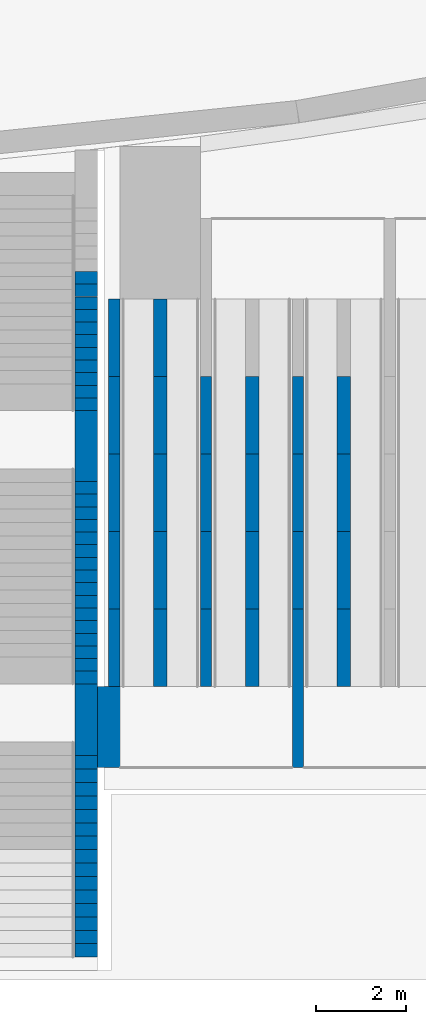
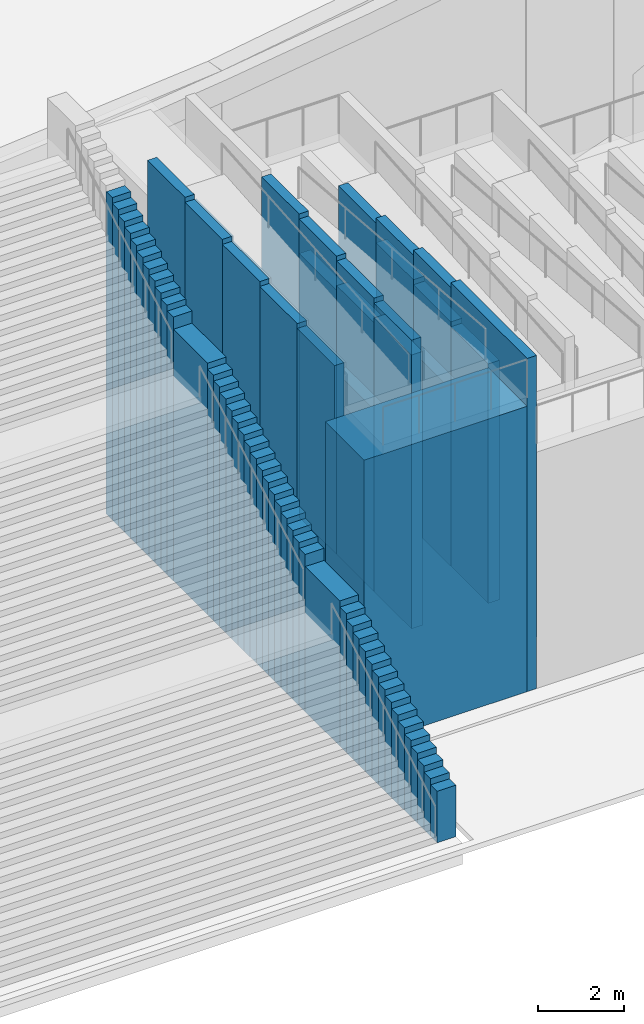
# One storey, part 7 of 29: 71 walls.
"""IFC4 building model written with IfcOpenShell, lengths in metres."""

from ifc_helpers import new_model, si_unit, direction, frame, frame_2d, origin, place, context, subcontext, project, spatial, rectangle, extrude, material, layer, layer_set, type_object, element, save


model = new_model("IFC4")

# Units and contexts
model_context = context("Model", 3, precision=1e-05, world=origin(), true_north=direction((0.0, 1.0)))
body_context = subcontext(model_context, "Body", "Model", "MODEL_VIEW")
ifc_project = project(units=[si_unit("LENGTHUNIT", "METRE"), si_unit("AREAUNIT", "SQUARE_METRE"), si_unit("VOLUMEUNIT", "CUBIC_METRE"), si_unit("PLANEANGLEUNIT", "RADIAN"), si_unit("MASSUNIT", "GRAM", prefix="KILO")], contexts=[model_context])

# Site, building, storey
site_placement = place(None, origin())
site = spatial("IfcSite", under=ifc_project, at=site_placement, CompositionType="ELEMENT")
building_placement = place(site_placement, origin())
building = spatial("IfcBuilding", under=site, at=building_placement, Name="Sierra Prisma Convention Tower", CompositionType="ELEMENT")
storey_placement = place(building_placement, origin())
storey = spatial("IfcBuildingStorey", under=building, at=storey_placement, Name="L00", CompositionType="ELEMENT", Elevation=0.0)

# Walls
ifc_material_1 = material(Name="Concrete C35/45, rose plaster finish", Category="concrete")
ifc_layer_1 = layer(ifc_material_1, 0.5)
ifc_layer_set_1 = layer_set([ifc_layer_1], Name="Garden steps cheek wall 500")
wall_type_1 = type_object("IfcWallType", Name="Garden steps cheek wall 500", PredefinedType="STANDARD", material=ifc_layer_set_1)
wall_1_placement = place(storey_placement, frame((17.949951171875, -72.490234375, 0.0), z_axis=(0.0, 0.0, 1.0), x_axis=(0.0, 1.0, 0.0)))
element("IfcWall", 1, at=wall_1_placement, inside=storey, type_object=wall_type_1, Name="Garden steps cheek wall east 1", PredefinedType="STANDARD", context=body_context, shape_type="SweptSolid", body=[
    extrude(rectangle(XDim=0.300048828125, YDim=0.5, at=frame_2d((0.14990234375, 0.0))), origin(), (0.0, 0.0, 1.0), 1.452880859375),
])
wall_2_placement = place(storey_placement, frame((17.949951171875, -72.190185546875, 0.0), z_axis=(0.0, 0.0, 1.0), x_axis=(0.0, 1.0, 0.0)))
element("IfcWall", 2, at=wall_2_placement, inside=storey, type_object=wall_type_1, Name="Garden steps cheek wall east 2", PredefinedType="STANDARD", context=body_context, shape_type="SweptSolid", body=[
    extrude(rectangle(XDim=0.300048828125, YDim=0.5, at=frame_2d((0.14990234375, 0.0))), origin(), (0.0, 0.0, 1.0), 1.62939453125),
])
wall_3_placement = place(storey_placement, frame((17.949951171875, -71.89013671875, 0.0), z_axis=(0.0, 0.0, 1.0), x_axis=(0.0, 1.0, 0.0)))
element("IfcWall", 3, at=wall_3_placement, inside=storey, type_object=wall_type_1, Name="Garden steps cheek wall east 3", PredefinedType="STANDARD", context=body_context, shape_type="SweptSolid", body=[
    extrude(rectangle(XDim=0.300048828125, YDim=0.5, at=frame_2d((0.14990234375, 0.0))), origin(), (0.0, 0.0, 1.0), 1.805908203125),
])
wall_4_placement = place(storey_placement, frame((17.949951171875, -71.590087890625, 0.0), z_axis=(0.0, 0.0, 1.0), x_axis=(0.0, 1.0, 0.0)))
element("IfcWall", 4, at=wall_4_placement, inside=storey, type_object=wall_type_1, Name="Garden steps cheek wall east 4", PredefinedType="STANDARD", context=body_context, shape_type="SweptSolid", body=[
    extrude(rectangle(XDim=0.2998046875, YDim=0.5, at=frame_2d((0.14990234375, 0.0))), origin(), (0.0, 0.0, 1.0), 1.982421875),
])
wall_5_placement = place(storey_placement, frame((17.949951171875, -71.290283203125, 0.0), z_axis=(0.0, 0.0, 1.0), x_axis=(0.0, 1.0, 0.0)))
element("IfcWall", 5, at=wall_5_placement, inside=storey, type_object=wall_type_1, Name="Garden steps cheek wall east 5", PredefinedType="STANDARD", context=body_context, shape_type="SweptSolid", body=[
    extrude(rectangle(XDim=0.300048828125, YDim=0.5, at=frame_2d((0.14990234375, 0.0))), origin(), (0.0, 0.0, 1.0), 2.15869140625),
])
wall_6_placement = place(storey_placement, frame((17.949951171875, -70.990234375, 0.0), z_axis=(0.0, 0.0, 1.0), x_axis=(0.0, 1.0, 0.0)))
element("IfcWall", 6, at=wall_6_placement, inside=storey, type_object=wall_type_1, Name="Garden steps cheek wall east 6", PredefinedType="STANDARD", context=body_context, shape_type="SweptSolid", body=[
    extrude(rectangle(XDim=0.300048828125, YDim=0.5, at=frame_2d((0.14990234375, 0.0))), origin(), (0.0, 0.0, 1.0), 2.335205078125),
])
wall_7_placement = place(storey_placement, frame((17.949951171875, -70.690185546875, 0.0), z_axis=(0.0, 0.0, 1.0), x_axis=(0.0, 1.0, 0.0)))
element("IfcWall", 7, at=wall_7_placement, inside=storey, type_object=wall_type_1, Name="Garden steps cheek wall east 7", PredefinedType="STANDARD", context=body_context, shape_type="SweptSolid", body=[
    extrude(rectangle(XDim=0.300048828125, YDim=0.5, at=frame_2d((0.14990234375, 0.0))), origin(), (0.0, 0.0, 1.0), 2.51171875),
])
wall_8_placement = place(storey_placement, frame((17.949951171875, -70.39013671875, 0.0), z_axis=(0.0, 0.0, 1.0), x_axis=(0.0, 1.0, 0.0)))
element("IfcWall", 8, at=wall_8_placement, inside=storey, type_object=wall_type_1, Name="Garden steps cheek wall east 8", PredefinedType="STANDARD", context=body_context, shape_type="SweptSolid", body=[
    extrude(rectangle(XDim=0.300048828125, YDim=0.5, at=frame_2d((0.14990234375, 0.0))), origin(), (0.0, 0.0, 1.0), 2.688232421875),
])
wall_9_placement = place(storey_placement, frame((17.949951171875, -70.090087890625, 0.0), z_axis=(0.0, 0.0, 1.0), x_axis=(0.0, 1.0, 0.0)))
element("IfcWall", 9, at=wall_9_placement, inside=storey, type_object=wall_type_1, Name="Garden steps cheek wall east 9", PredefinedType="STANDARD", context=body_context, shape_type="SweptSolid", body=[
    extrude(rectangle(XDim=0.2998046875, YDim=0.5, at=frame_2d((0.14990234375, 0.0))), origin(), (0.0, 0.0, 1.0), 2.86474609375),
])
wall_10_placement = place(storey_placement, frame((17.949951171875, -69.790283203125, 0.0), z_axis=(0.0, 0.0, 1.0), x_axis=(0.0, 1.0, 0.0)))
element("IfcWall", 10, at=wall_10_placement, inside=storey, type_object=wall_type_1, Name="Garden steps cheek wall east 10", PredefinedType="STANDARD", context=body_context, shape_type="SweptSolid", body=[
    extrude(rectangle(XDim=0.300048828125, YDim=0.5, at=frame_2d((0.14990234375, 0.0))), origin(), (0.0, 0.0, 1.0), 3.041259765625),
])
wall_11_placement = place(storey_placement, frame((17.949951171875, -69.490234375, 0.0), z_axis=(0.0, 0.0, 1.0), x_axis=(0.0, 1.0, 0.0)))
element("IfcWall", 11, at=wall_11_placement, inside=storey, type_object=wall_type_1, Name="Garden steps cheek wall east 11", PredefinedType="STANDARD", context=body_context, shape_type="SweptSolid", body=[
    extrude(rectangle(XDim=0.300048828125, YDim=0.5, at=frame_2d((0.14990234375, 0.0))), origin(), (0.0, 0.0, 1.0), 3.217529296875),
])
wall_12_placement = place(storey_placement, frame((17.949951171875, -69.190185546875, 0.0), z_axis=(0.0, 0.0, 1.0), x_axis=(0.0, 1.0, 0.0)))
element("IfcWall", 12, at=wall_12_placement, inside=storey, type_object=wall_type_1, Name="Garden steps cheek wall east 12", PredefinedType="STANDARD", context=body_context, shape_type="SweptSolid", body=[
    extrude(rectangle(XDim=0.300048828125, YDim=0.5, at=frame_2d((0.14990234375, 0.0))), origin(), (0.0, 0.0, 1.0), 3.39404296875),
])
wall_13_placement = place(storey_placement, frame((17.949951171875, -68.89013671875, 0.0), z_axis=(0.0, 0.0, 1.0), x_axis=(0.0, 1.0, 0.0)))
element("IfcWall", 13, at=wall_13_placement, inside=storey, type_object=wall_type_1, Name="Garden steps cheek wall east 13", PredefinedType="STANDARD", context=body_context, shape_type="SweptSolid", body=[
    extrude(rectangle(XDim=0.300048828125, YDim=0.5, at=frame_2d((0.14990234375, 0.0))), origin(), (0.0, 0.0, 1.0), 3.570556640625),
])
wall_14_placement = place(storey_placement, frame((17.949951171875, -68.590087890625, 0.0), z_axis=(0.0, 0.0, 1.0), x_axis=(0.0, 1.0, 0.0)))
element("IfcWall", 14, at=wall_14_placement, inside=storey, type_object=wall_type_1, Name="Garden steps cheek wall east 14", PredefinedType="STANDARD", context=body_context, shape_type="SweptSolid", body=[
    extrude(rectangle(XDim=0.2998046875, YDim=0.5, at=frame_2d((0.14990234375, 0.0))), origin(), (0.0, 0.0, 1.0), 3.7470703125),
])
wall_15_placement = place(storey_placement, frame((17.949951171875, -68.290283203125, 0.0), z_axis=(0.0, 0.0, 1.0), x_axis=(0.0, 1.0, 0.0)))
element("IfcWall", 15, at=wall_15_placement, inside=storey, type_object=wall_type_1, Name="Garden steps cheek wall east 15", PredefinedType="STANDARD", context=body_context, shape_type="SweptSolid", body=[
    extrude(rectangle(XDim=0.300048828125, YDim=0.5, at=frame_2d((0.14990234375, 0.0))), origin(), (0.0, 0.0, 1.0), 3.923583984375),
])
wall_16_placement = place(storey_placement, frame((17.949951171875, -67.990234375, 0.0), z_axis=(0.0, 0.0, 1.0), x_axis=(0.0, 1.0, 0.0)))
element("IfcWall", 16, at=wall_16_placement, inside=storey, type_object=wall_type_1, Name="Garden steps cheek wall east 16", PredefinedType="STANDARD", context=body_context, shape_type="SweptSolid", body=[
    extrude(rectangle(XDim=1.60009765625, YDim=0.5, at=frame_2d((0.800048828125, 0.0))), origin(), (0.0, 0.0, 1.0), 4.10009765625),
])
wall_17_placement = place(storey_placement, frame((17.949951171875, -66.39013671875, 0.0), z_axis=(0.0, 0.0, 1.0), x_axis=(0.0, 1.0, 0.0)))
element("IfcWall", 17, at=wall_17_placement, inside=storey, type_object=wall_type_1, Name="Garden steps cheek wall east 17", PredefinedType="STANDARD", context=body_context, shape_type="SweptSolid", body=[
    extrude(rectangle(XDim=0.2822265625, YDim=0.5, at=frame_2d((0.14111328125, 0.0))), origin(), (0.0, 0.0, 1.0), 4.442626953125),
])
wall_18_placement = place(storey_placement, frame((17.949951171875, -66.10791015625, 0.0), z_axis=(0.0, 0.0, 1.0), x_axis=(0.0, 1.0, 0.0)))
element("IfcWall", 18, at=wall_18_placement, inside=storey, type_object=wall_type_1, Name="Garden steps cheek wall east 18", PredefinedType="STANDARD", context=body_context, shape_type="SweptSolid", body=[
    extrude(rectangle(XDim=0.282470703125, YDim=0.5, at=frame_2d((0.14111328125, 0.0))), origin(), (0.0, 0.0, 1.0), 4.608642578125),
])
wall_19_placement = place(storey_placement, frame((17.949951171875, -65.825439453125, 0.0), z_axis=(0.0, 0.0, 1.0), x_axis=(0.0, 1.0, 0.0)))
element("IfcWall", 19, at=wall_19_placement, inside=storey, type_object=wall_type_1, Name="Garden steps cheek wall east 19", PredefinedType="STANDARD", context=body_context, shape_type="SweptSolid", body=[
    extrude(rectangle(XDim=0.2822265625, YDim=0.5, at=frame_2d((0.14111328125, 0.0))), origin(), (0.0, 0.0, 1.0), 4.774658203125),
])
wall_20_placement = place(storey_placement, frame((17.949951171875, -65.543212890625, 0.0), z_axis=(0.0, 0.0, 1.0), x_axis=(0.0, 1.0, 0.0)))
element("IfcWall", 20, at=wall_20_placement, inside=storey, type_object=wall_type_1, Name="Garden steps cheek wall east 20", PredefinedType="STANDARD", context=body_context, shape_type="SweptSolid", body=[
    extrude(rectangle(XDim=0.282470703125, YDim=0.5, at=frame_2d((0.14111328125, 0.0))), origin(), (0.0, 0.0, 1.0), 4.94091796875),
])
wall_21_placement = place(storey_placement, frame((17.949951171875, -65.2607421875, 0.0), z_axis=(0.0, 0.0, 1.0), x_axis=(0.0, 1.0, 0.0)))
element("IfcWall", 21, at=wall_21_placement, inside=storey, type_object=wall_type_1, Name="Garden steps cheek wall east 21", PredefinedType="STANDARD", context=body_context, shape_type="SweptSolid", body=[
    extrude(rectangle(XDim=0.2822265625, YDim=0.5, at=frame_2d((0.14111328125, 0.0))), origin(), (0.0, 0.0, 1.0), 5.10693359375),
])
wall_22_placement = place(storey_placement, frame((17.949951171875, -64.978515625, 0.0), z_axis=(0.0, 0.0, 1.0), x_axis=(0.0, 1.0, 0.0)))
element("IfcWall", 22, at=wall_22_placement, inside=storey, type_object=wall_type_1, Name="Garden steps cheek wall east 22", PredefinedType="STANDARD", context=body_context, shape_type="SweptSolid", body=[
    extrude(rectangle(XDim=0.282470703125, YDim=0.5, at=frame_2d((0.14111328125, 0.0))), origin(), (0.0, 0.0, 1.0), 5.27294921875),
])
wall_23_placement = place(storey_placement, frame((17.949951171875, -64.696044921875, 0.0), z_axis=(0.0, 0.0, 1.0), x_axis=(0.0, 1.0, 0.0)))
element("IfcWall", 23, at=wall_23_placement, inside=storey, type_object=wall_type_1, Name="Garden steps cheek wall east 23", PredefinedType="STANDARD", context=body_context, shape_type="SweptSolid", body=[
    extrude(rectangle(XDim=0.2822265625, YDim=0.5, at=frame_2d((0.14111328125, 0.0))), origin(), (0.0, 0.0, 1.0), 5.439208984375),
])
wall_24_placement = place(storey_placement, frame((17.949951171875, -64.413818359375, 0.0), z_axis=(0.0, 0.0, 1.0), x_axis=(0.0, 1.0, 0.0)))
element("IfcWall", 24, at=wall_24_placement, inside=storey, type_object=wall_type_1, Name="Garden steps cheek wall east 24", PredefinedType="STANDARD", context=body_context, shape_type="SweptSolid", body=[
    extrude(rectangle(XDim=0.282470703125, YDim=0.5, at=frame_2d((0.14111328125, 0.0))), origin(), (0.0, 0.0, 1.0), 5.605224609375),
])
wall_25_placement = place(storey_placement, frame((17.949951171875, -64.13134765625, 0.0), z_axis=(0.0, 0.0, 1.0), x_axis=(0.0, 1.0, 0.0)))
element("IfcWall", 25, at=wall_25_placement, inside=storey, type_object=wall_type_1, Name="Garden steps cheek wall east 25", PredefinedType="STANDARD", context=body_context, shape_type="SweptSolid", body=[
    extrude(rectangle(XDim=0.2822265625, YDim=0.5, at=frame_2d((0.14111328125, 0.0))), origin(), (0.0, 0.0, 1.0), 5.771240234375),
])
wall_26_placement = place(storey_placement, frame((17.949951171875, -63.84912109375, 0.0), z_axis=(0.0, 0.0, 1.0), x_axis=(0.0, 1.0, 0.0)))
element("IfcWall", 26, at=wall_26_placement, inside=storey, type_object=wall_type_1, Name="Garden steps cheek wall east 26", PredefinedType="STANDARD", context=body_context, shape_type="SweptSolid", body=[
    extrude(rectangle(XDim=0.282470703125, YDim=0.5, at=frame_2d((0.14111328125, 0.0))), origin(), (0.0, 0.0, 1.0), 5.9375),
])
wall_27_placement = place(storey_placement, frame((17.949951171875, -63.566650390625, 0.0), z_axis=(0.0, 0.0, 1.0), x_axis=(0.0, 1.0, 0.0)))
element("IfcWall", 27, at=wall_27_placement, inside=storey, type_object=wall_type_1, Name="Garden steps cheek wall east 27", PredefinedType="STANDARD", context=body_context, shape_type="SweptSolid", body=[
    extrude(rectangle(XDim=0.2822265625, YDim=0.5, at=frame_2d((0.14111328125, 0.0))), origin(), (0.0, 0.0, 1.0), 6.103515625),
])
wall_28_placement = place(storey_placement, frame((17.949951171875, -63.284423828125, 0.0), z_axis=(0.0, 0.0, 1.0), x_axis=(0.0, 1.0, 0.0)))
element("IfcWall", 28, at=wall_28_placement, inside=storey, type_object=wall_type_1, Name="Garden steps cheek wall east 28", PredefinedType="STANDARD", context=body_context, shape_type="SweptSolid", body=[
    extrude(rectangle(XDim=0.282470703125, YDim=0.5, at=frame_2d((0.14111328125, 0.0))), origin(), (0.0, 0.0, 1.0), 6.26953125),
])
wall_29_placement = place(storey_placement, frame((17.949951171875, -63.001953125, 0.0), z_axis=(0.0, 0.0, 1.0), x_axis=(0.0, 1.0, 0.0)))
element("IfcWall", 29, at=wall_29_placement, inside=storey, type_object=wall_type_1, Name="Garden steps cheek wall east 29", PredefinedType="STANDARD", context=body_context, shape_type="SweptSolid", body=[
    extrude(rectangle(XDim=0.2822265625, YDim=0.5, at=frame_2d((0.14111328125, 0.0))), origin(), (0.0, 0.0, 1.0), 6.435546875),
])
wall_30_placement = place(storey_placement, frame((17.949951171875, -62.7197265625, 0.0), z_axis=(0.0, 0.0, 1.0), x_axis=(0.0, 1.0, 0.0)))
element("IfcWall", 30, at=wall_30_placement, inside=storey, type_object=wall_type_1, Name="Garden steps cheek wall east 30", PredefinedType="STANDARD", context=body_context, shape_type="SweptSolid", body=[
    extrude(rectangle(XDim=0.282470703125, YDim=0.5, at=frame_2d((0.14111328125, 0.0))), origin(), (0.0, 0.0, 1.0), 6.601806640625),
])
wall_31_placement = place(storey_placement, frame((17.949951171875, -62.437255859375, 0.0), z_axis=(0.0, 0.0, 1.0), x_axis=(0.0, 1.0, 0.0)))
element("IfcWall", 31, at=wall_31_placement, inside=storey, type_object=wall_type_1, Name="Garden steps cheek wall east 31", PredefinedType="STANDARD", context=body_context, shape_type="SweptSolid", body=[
    extrude(rectangle(XDim=0.282470703125, YDim=0.5, at=frame_2d((0.14111328125, 0.0))), origin(), (0.0, 0.0, 1.0), 6.767822265625),
])
wall_32_placement = place(storey_placement, frame((17.949951171875, -62.15478515625, 0.0), z_axis=(0.0, 0.0, 1.0), x_axis=(0.0, 1.0, 0.0)))
element("IfcWall", 32, at=wall_32_placement, inside=storey, type_object=wall_type_1, Name="Garden steps cheek wall east 32", PredefinedType="STANDARD", context=body_context, shape_type="SweptSolid", body=[
    extrude(rectangle(XDim=0.2822265625, YDim=0.5, at=frame_2d((0.14111328125, 0.0))), origin(), (0.0, 0.0, 1.0), 6.933837890625),
])
wall_33_placement = place(storey_placement, frame((17.949951171875, -61.87255859375, 0.0), z_axis=(0.0, 0.0, 1.0), x_axis=(0.0, 1.0, 0.0)))
element("IfcWall", 33, at=wall_33_placement, inside=storey, type_object=wall_type_1, Name="Garden steps cheek wall east 33", PredefinedType="STANDARD", context=body_context, shape_type="SweptSolid", body=[
    extrude(rectangle(XDim=1.582275390625, YDim=0.5, at=frame_2d((0.791015625, 0.0))), origin(), (0.0, 0.0, 1.0), 7.10009765625),
])
wall_34_placement = place(storey_placement, frame((17.949951171875, -60.290283203125, 0.0), z_axis=(0.0, 0.0, 1.0), x_axis=(0.0, 1.0, 0.0)))
element("IfcWall", 34, at=wall_34_placement, inside=storey, type_object=wall_type_1, Name="Garden steps cheek wall east 34", PredefinedType="STANDARD", context=body_context, shape_type="SweptSolid", body=[
    extrude(rectangle(XDim=0.282470703125, YDim=0.5, at=frame_2d((0.14111328125, 0.0))), origin(), (0.0, 0.0, 1.0), 7.442626953125),
])
wall_35_placement = place(storey_placement, frame((17.949951171875, -60.0078125, 0.0), z_axis=(0.0, 0.0, 1.0), x_axis=(0.0, 1.0, 0.0)))
element("IfcWall", 35, at=wall_35_placement, inside=storey, type_object=wall_type_1, Name="Garden steps cheek wall east 35", PredefinedType="STANDARD", context=body_context, shape_type="SweptSolid", body=[
    extrude(rectangle(XDim=0.2822265625, YDim=0.5, at=frame_2d((0.14111328125, 0.0))), origin(), (0.0, 0.0, 1.0), 7.608642578125),
])
wall_36_placement = place(storey_placement, frame((17.949951171875, -59.7255859375, 0.0), z_axis=(0.0, 0.0, 1.0), x_axis=(0.0, 1.0, 0.0)))
element("IfcWall", 36, at=wall_36_placement, inside=storey, type_object=wall_type_1, Name="Garden steps cheek wall east 36", PredefinedType="STANDARD", context=body_context, shape_type="SweptSolid", body=[
    extrude(rectangle(XDim=0.282470703125, YDim=0.5, at=frame_2d((0.14111328125, 0.0))), origin(), (0.0, 0.0, 1.0), 7.774658203125),
])
wall_37_placement = place(storey_placement, frame((17.949951171875, -59.443115234375, 0.0), z_axis=(0.0, 0.0, 1.0), x_axis=(0.0, 1.0, 0.0)))
element("IfcWall", 37, at=wall_37_placement, inside=storey, type_object=wall_type_1, Name="Garden steps cheek wall east 37", PredefinedType="STANDARD", context=body_context, shape_type="SweptSolid", body=[
    extrude(rectangle(XDim=0.2822265625, YDim=0.5, at=frame_2d((0.14111328125, 0.0))), origin(), (0.0, 0.0, 1.0), 7.94091796875),
])
wall_38_placement = place(storey_placement, frame((17.949951171875, -59.160888671875, 0.0), z_axis=(0.0, 0.0, 1.0), x_axis=(0.0, 1.0, 0.0)))
element("IfcWall", 38, at=wall_38_placement, inside=storey, type_object=wall_type_1, Name="Garden steps cheek wall east 38", PredefinedType="STANDARD", context=body_context, shape_type="SweptSolid", body=[
    extrude(rectangle(XDim=0.282470703125, YDim=0.5, at=frame_2d((0.14111328125, 0.0))), origin(), (0.0, 0.0, 1.0), 8.10693359375),
])
wall_39_placement = place(storey_placement, frame((17.949951171875, -58.87841796875, 0.0), z_axis=(0.0, 0.0, 1.0), x_axis=(0.0, 1.0, 0.0)))
element("IfcWall", 39, at=wall_39_placement, inside=storey, type_object=wall_type_1, Name="Garden steps cheek wall east 39", PredefinedType="STANDARD", context=body_context, shape_type="SweptSolid", body=[
    extrude(rectangle(XDim=0.2822265625, YDim=0.5, at=frame_2d((0.14111328125, 0.0))), origin(), (0.0, 0.0, 1.0), 8.27294921875),
])
wall_40_placement = place(storey_placement, frame((17.949951171875, -58.59619140625, 0.0), z_axis=(0.0, 0.0, 1.0), x_axis=(0.0, 1.0, 0.0)))
element("IfcWall", 40, at=wall_40_placement, inside=storey, type_object=wall_type_1, Name="Garden steps cheek wall east 40", PredefinedType="STANDARD", context=body_context, shape_type="SweptSolid", body=[
    extrude(rectangle(XDim=0.282470703125, YDim=0.5, at=frame_2d((0.14111328125, 0.0))), origin(), (0.0, 0.0, 1.0), 8.439208984375),
])
wall_41_placement = place(storey_placement, frame((17.949951171875, -58.313720703125, 0.0), z_axis=(0.0, 0.0, 1.0), x_axis=(0.0, 1.0, 0.0)))
element("IfcWall", 41, at=wall_41_placement, inside=storey, type_object=wall_type_1, Name="Garden steps cheek wall east 41", PredefinedType="STANDARD", context=body_context, shape_type="SweptSolid", body=[
    extrude(rectangle(XDim=0.2822265625, YDim=0.5, at=frame_2d((0.14111328125, 0.0))), origin(), (0.0, 0.0, 1.0), 8.605224609375),
])
wall_42_placement = place(storey_placement, frame((17.949951171875, -58.031494140625, 0.0), z_axis=(0.0, 0.0, 1.0), x_axis=(0.0, 1.0, 0.0)))
element("IfcWall", 42, at=wall_42_placement, inside=storey, type_object=wall_type_1, Name="Garden steps cheek wall east 42", PredefinedType="STANDARD", context=body_context, shape_type="SweptSolid", body=[
    extrude(rectangle(XDim=0.282470703125, YDim=0.5, at=frame_2d((0.14111328125, 0.0))), origin(), (0.0, 0.0, 1.0), 8.771240234375),
])
wall_43_placement = place(storey_placement, frame((17.949951171875, -57.7490234375, 0.0), z_axis=(0.0, 0.0, 1.0), x_axis=(0.0, 1.0, 0.0)))
element("IfcWall", 43, at=wall_43_placement, inside=storey, type_object=wall_type_1, Name="Garden steps cheek wall east 43", PredefinedType="STANDARD", context=body_context, shape_type="SweptSolid", body=[
    extrude(rectangle(XDim=0.2822265625, YDim=0.5, at=frame_2d((0.14111328125, 0.0))), origin(), (0.0, 0.0, 1.0), 8.9375),
])
wall_44_placement = place(storey_placement, frame((17.949951171875, -57.466796875, 0.0), z_axis=(0.0, 0.0, 1.0), x_axis=(0.0, 1.0, 0.0)))
element("IfcWall", 44, at=wall_44_placement, inside=storey, type_object=wall_type_1, Name="Garden steps cheek wall east 44", PredefinedType="STANDARD", context=body_context, shape_type="SweptSolid", body=[
    extrude(rectangle(XDim=0.282470703125, YDim=0.5, at=frame_2d((0.14111328125, 0.0))), origin(), (0.0, 0.0, 1.0), 9.103515625),
])
ifc_material_2 = material(Name="Concrete C35/45, rose plaster finish", Category="concrete")
ifc_layer_2 = layer(ifc_material_2, 0.25)
ifc_layer_set_2 = layer_set([ifc_layer_2], Name="Ramp guard wall 250")
wall_type_2 = type_object("IfcWallType", Name="Ramp guard wall 250", PredefinedType="STANDARD", material=ifc_layer_set_2)
wall_45_placement = place(storey_placement, frame((22.675048828125, -68.25390625, 0.0), z_axis=(0.0, 0.0, 1.0), x_axis=(0.0, 1.0, 0.0)))
element("IfcWall", 45, at=wall_45_placement, inside=storey, type_object=wall_type_2, Name="Accessible ramp guard wall 12 1", PredefinedType="STANDARD", context=body_context, shape_type="SweptSolid", body=[
    extrude(rectangle(XDim=3.53076171875, YDim=0.25, at=frame_2d((1.765380859375, 0.0))), origin(), (0.0, 0.0, 1.0), 9.40771484375),
])
wall_46_placement = place(storey_placement, frame((22.675048828125, -64.72314453125, 0.0), z_axis=(0.0, 0.0, 1.0), x_axis=(0.0, 1.0, 0.0)))
element("IfcWall", 46, at=wall_46_placement, inside=storey, type_object=wall_type_2, Name="Accessible ramp guard wall 12 2", PredefinedType="STANDARD", context=body_context, shape_type="SweptSolid", body=[
    extrude(rectangle(XDim=1.73095703125, YDim=0.25, at=frame_2d((0.865478515625, 0.0))), origin(), (0.0, 0.0, 1.0), 9.269287109375),
])
wall_47_placement = place(storey_placement, frame((22.675048828125, -62.9921875, 0.0), z_axis=(0.0, 0.0, 1.0), x_axis=(0.0, 1.0, 0.0)))
element("IfcWall", 47, at=wall_47_placement, inside=storey, type_object=wall_type_2, Name="Accessible ramp guard wall 12 3", PredefinedType="STANDARD", context=body_context, shape_type="SweptSolid", body=[
    extrude(rectangle(XDim=1.73046875, YDim=0.25, at=frame_2d((0.865234375, 0.0))), origin(), (0.0, 0.0, 1.0), 9.130859375),
])
wall_48_placement = place(storey_placement, frame((22.675048828125, -61.26171875, 0.0), z_axis=(0.0, 0.0, 1.0), x_axis=(0.0, 1.0, 0.0)))
element("IfcWall", 48, at=wall_48_placement, inside=storey, type_object=wall_type_2, Name="Accessible ramp guard wall 12 4", PredefinedType="STANDARD", context=body_context, shape_type="SweptSolid", body=[
    extrude(rectangle(XDim=1.73095703125, YDim=0.25, at=frame_2d((0.865478515625, 0.0))), origin(), (0.0, 0.0, 1.0), 8.9921875),
])
wall_49_placement = place(storey_placement, frame((20.625, -66.453857421875, 0.0), z_axis=(0.0, 0.0, 1.0), x_axis=(0.0, 1.0, 0.0)))
element("IfcWall", 49, at=wall_49_placement, inside=storey, type_object=wall_type_2, Name="Accessible ramp guard wall 13 1", PredefinedType="STANDARD", context=body_context, shape_type="SweptSolid", body=[
    extrude(rectangle(XDim=1.730712890625, YDim=0.25, at=frame_2d((0.865234375, 0.0))), origin(), (0.0, 0.0, 1.0), 9.546142578125),
])
wall_50_placement = place(storey_placement, frame((20.625, -64.72314453125, 0.0), z_axis=(0.0, 0.0, 1.0), x_axis=(0.0, 1.0, 0.0)))
element("IfcWall", 50, at=wall_50_placement, inside=storey, type_object=wall_type_2, Name="Accessible ramp guard wall 13 2", PredefinedType="STANDARD", context=body_context, shape_type="SweptSolid", body=[
    extrude(rectangle(XDim=1.73095703125, YDim=0.25, at=frame_2d((0.865478515625, 0.0))), origin(), (0.0, 0.0, 1.0), 9.6845703125),
])
wall_51_placement = place(storey_placement, frame((20.625, -62.9921875, 0.0), z_axis=(0.0, 0.0, 1.0), x_axis=(0.0, 1.0, 0.0)))
element("IfcWall", 51, at=wall_51_placement, inside=storey, type_object=wall_type_2, Name="Accessible ramp guard wall 13 3", PredefinedType="STANDARD", context=body_context, shape_type="SweptSolid", body=[
    extrude(rectangle(XDim=1.73046875, YDim=0.25, at=frame_2d((0.865234375, 0.0))), origin(), (0.0, 0.0, 1.0), 9.822998046875),
])
wall_52_placement = place(storey_placement, frame((20.625, -61.26171875, 0.0), z_axis=(0.0, 0.0, 1.0), x_axis=(0.0, 1.0, 0.0)))
element("IfcWall", 52, at=wall_52_placement, inside=storey, type_object=wall_type_2, Name="Accessible ramp guard wall 13 4", PredefinedType="STANDARD", context=body_context, shape_type="SweptSolid", body=[
    extrude(rectangle(XDim=1.73095703125, YDim=0.25, at=frame_2d((0.865478515625, 0.0))), origin(), (0.0, 0.0, 1.0), 9.96142578125),
])
wall_53_placement = place(storey_placement, frame((18.574951171875, -66.453857421875, 0.0), z_axis=(0.0, 0.0, 1.0), x_axis=(0.0, 1.0, 0.0)))
element("IfcWall", 53, at=wall_53_placement, inside=storey, type_object=wall_type_2, Name="Accessible ramp guard wall 14 1", PredefinedType="STANDARD", context=body_context, shape_type="SweptSolid", body=[
    extrude(rectangle(XDim=1.730712890625, YDim=0.25, at=frame_2d((0.865234375, 0.0))), origin(), (0.0, 0.0, 1.0), 9.546142578125),
])
wall_54_placement = place(storey_placement, frame((18.574951171875, -64.72314453125, 0.0), z_axis=(0.0, 0.0, 1.0), x_axis=(0.0, 1.0, 0.0)))
element("IfcWall", 54, at=wall_54_placement, inside=storey, type_object=wall_type_2, Name="Accessible ramp guard wall 14 2", PredefinedType="STANDARD", context=body_context, shape_type="SweptSolid", body=[
    extrude(rectangle(XDim=1.73095703125, YDim=0.25, at=frame_2d((0.865478515625, 0.0))), origin(), (0.0, 0.0, 1.0), 9.6845703125),
])
wall_55_placement = place(storey_placement, frame((18.574951171875, -62.9921875, 0.0), z_axis=(0.0, 0.0, 1.0), x_axis=(0.0, 1.0, 0.0)))
element("IfcWall", 55, at=wall_55_placement, inside=storey, type_object=wall_type_2, Name="Accessible ramp guard wall 14 3", PredefinedType="STANDARD", context=body_context, shape_type="SweptSolid", body=[
    extrude(rectangle(XDim=1.73046875, YDim=0.25, at=frame_2d((0.865234375, 0.0))), origin(), (0.0, 0.0, 1.0), 9.822998046875),
])
wall_56_placement = place(storey_placement, frame((18.574951171875, -61.26171875, 0.0), z_axis=(0.0, 0.0, 1.0), x_axis=(0.0, 1.0, 0.0)))
element("IfcWall", 56, at=wall_56_placement, inside=storey, type_object=wall_type_2, Name="Accessible ramp guard wall 14 4", PredefinedType="STANDARD", context=body_context, shape_type="SweptSolid", body=[
    extrude(rectangle(XDim=1.73095703125, YDim=0.25, at=frame_2d((0.865478515625, 0.0))), origin(), (0.0, 0.0, 1.0), 9.96142578125),
])
wall_57_placement = place(storey_placement, frame((18.574951171875, -59.53076171875, 0.0), z_axis=(0.0, 0.0, 1.0), x_axis=(0.0, 1.0, 0.0)))
element("IfcWall", 57, at=wall_57_placement, inside=storey, type_object=wall_type_2, Name="Accessible ramp guard wall 14 5", PredefinedType="STANDARD", context=body_context, shape_type="SweptSolid", body=[
    extrude(rectangle(XDim=1.730712890625, YDim=0.25, at=frame_2d((0.865234375, 0.0))), origin(), (0.0, 0.0, 1.0), 10.10009765625),
])
ifc_material_3 = material(Name="Concrete C35/45", Category="concrete")
ifc_layer_3 = layer(ifc_material_3, 1.800048828125)
ifc_layer_set_3 = layer_set([ifc_layer_3], Name="Ramp landing support 1800")
wall_type_3 = type_object("IfcWallType", Name="Ramp landing support 1800", PredefinedType="STANDARD", material=ifc_layer_set_3)
wall_58_placement = place(storey_placement, frame((18.199951171875, -67.353759765625, 0.0), z_axis=(0.0, 0.0, 1.0), x_axis=(1.0, 0.0, 0.0)))
element("IfcWall", 58, at=wall_58_placement, inside=storey, type_object=wall_type_3, Name="Accessible ramp landing support 6", PredefinedType="STANDARD", context=body_context, shape_type="SweptSolid", body=[
    extrude(rectangle(XDim=4.35009765625, YDim=1.800048828125, at=frame_2d((2.175048828125, 0.0))), origin(), (0.0, 0.0, 1.0), 8.0576171875),
])
ifc_material_4 = material(Name="Concrete C35/45", Category="concrete")
ifc_layer_4 = layer(ifc_material_4, 0.300048828125)
ifc_layer_set_4 = layer_set([ifc_layer_4], Name="Ramp spine wall 300")
wall_type_4 = type_object("IfcWallType", Name="Ramp spine wall 300", PredefinedType="STANDARD", material=ifc_layer_set_4)
wall_59_placement = place(storey_placement, frame((23.699951171875, -66.453857421875, 0.0), z_axis=(0.0, 0.0, 1.0), x_axis=(0.0, 1.0, 0.0)))
element("IfcWall", 59, at=wall_59_placement, inside=storey, type_object=wall_type_4, Name="Accessible ramp spine wall 11 1", PredefinedType="STANDARD", context=body_context, shape_type="SweptSolid", body=[
    extrude(rectangle(XDim=1.730712890625, YDim=0.300048828125, at=frame_2d((0.865234375, 0.0))), origin(), (0.0, 0.0, 1.0), 6.6220703125),
])
wall_60_placement = place(storey_placement, frame((23.699951171875, -64.72314453125, 0.0), z_axis=(0.0, 0.0, 1.0), x_axis=(0.0, 1.0, 0.0)))
element("IfcWall", 60, at=wall_60_placement, inside=storey, type_object=wall_type_4, Name="Accessible ramp spine wall 11 2", PredefinedType="STANDARD", context=body_context, shape_type="SweptSolid", body=[
    extrude(rectangle(XDim=1.73095703125, YDim=0.300048828125, at=frame_2d((0.865478515625, 0.0))), origin(), (0.0, 0.0, 1.0), 6.760498046875),
])
wall_61_placement = place(storey_placement, frame((23.699951171875, -62.9921875, 0.0), z_axis=(0.0, 0.0, 1.0), x_axis=(0.0, 1.0, 0.0)))
element("IfcWall", 61, at=wall_61_placement, inside=storey, type_object=wall_type_4, Name="Accessible ramp spine wall 11 3", PredefinedType="STANDARD", context=body_context, shape_type="SweptSolid", body=[
    extrude(rectangle(XDim=1.730712890625, YDim=0.300048828125, at=frame_2d((0.865234375, 0.0))), origin(), (0.0, 0.0, 1.0), 6.89892578125),
])
wall_62_placement = place(storey_placement, frame((23.699951171875, -61.261474609375, 0.0), z_axis=(0.0, 0.0, 1.0), x_axis=(0.0, 1.0, 0.0)))
element("IfcWall", 62, at=wall_62_placement, inside=storey, type_object=wall_type_4, Name="Accessible ramp spine wall 11 4", PredefinedType="STANDARD", context=body_context, shape_type="SweptSolid", body=[
    extrude(rectangle(XDim=1.730712890625, YDim=0.300048828125, at=frame_2d((0.865234375, 0.0))), origin(), (0.0, 0.0, 1.0), 7.03759765625),
])
wall_63_placement = place(storey_placement, frame((21.64990234375, -66.453857421875, 0.0), z_axis=(0.0, 0.0, 1.0), x_axis=(0.0, 1.0, 0.0)))
element("IfcWall", 63, at=wall_63_placement, inside=storey, type_object=wall_type_4, Name="Accessible ramp spine wall 12 1", PredefinedType="STANDARD", context=body_context, shape_type="SweptSolid", body=[
    extrude(rectangle(XDim=1.730712890625, YDim=0.300048828125, at=frame_2d((0.865234375, 0.0))), origin(), (0.0, 0.0, 1.0), 7.868408203125),
])
wall_64_placement = place(storey_placement, frame((21.64990234375, -64.72314453125, 0.0), z_axis=(0.0, 0.0, 1.0), x_axis=(0.0, 1.0, 0.0)))
element("IfcWall", 64, at=wall_64_placement, inside=storey, type_object=wall_type_4, Name="Accessible ramp spine wall 12 2", PredefinedType="STANDARD", context=body_context, shape_type="SweptSolid", body=[
    extrude(rectangle(XDim=1.73095703125, YDim=0.300048828125, at=frame_2d((0.865478515625, 0.0))), origin(), (0.0, 0.0, 1.0), 7.729736328125),
])
wall_65_placement = place(storey_placement, frame((21.64990234375, -62.9921875, 0.0), z_axis=(0.0, 0.0, 1.0), x_axis=(0.0, 1.0, 0.0)))
element("IfcWall", 65, at=wall_65_placement, inside=storey, type_object=wall_type_4, Name="Accessible ramp spine wall 12 3", PredefinedType="STANDARD", context=body_context, shape_type="SweptSolid", body=[
    extrude(rectangle(XDim=1.730712890625, YDim=0.300048828125, at=frame_2d((0.865234375, 0.0))), origin(), (0.0, 0.0, 1.0), 7.59130859375),
])
wall_66_placement = place(storey_placement, frame((21.64990234375, -61.261474609375, 0.0), z_axis=(0.0, 0.0, 1.0), x_axis=(0.0, 1.0, 0.0)))
element("IfcWall", 66, at=wall_66_placement, inside=storey, type_object=wall_type_4, Name="Accessible ramp spine wall 12 4", PredefinedType="STANDARD", context=body_context, shape_type="SweptSolid", body=[
    extrude(rectangle(XDim=1.730712890625, YDim=0.300048828125, at=frame_2d((0.865234375, 0.0))), origin(), (0.0, 0.0, 1.0), 7.452880859375),
])
wall_67_placement = place(storey_placement, frame((19.60009765625, -66.453857421875, 0.0), z_axis=(0.0, 0.0, 1.0), x_axis=(0.0, 1.0, 0.0)))
element("IfcWall", 67, at=wall_67_placement, inside=storey, type_object=wall_type_4, Name="Accessible ramp spine wall 13 1", PredefinedType="STANDARD", context=body_context, shape_type="SweptSolid", body=[
    extrude(rectangle(XDim=1.730712890625, YDim=0.300048828125, at=frame_2d((0.865234375, 0.0))), origin(), (0.0, 0.0, 1.0), 8.006591796875),
])
wall_68_placement = place(storey_placement, frame((19.60009765625, -64.72314453125, 0.0), z_axis=(0.0, 0.0, 1.0), x_axis=(0.0, 1.0, 0.0)))
element("IfcWall", 68, at=wall_68_placement, inside=storey, type_object=wall_type_4, Name="Accessible ramp spine wall 13 2", PredefinedType="STANDARD", context=body_context, shape_type="SweptSolid", body=[
    extrude(rectangle(XDim=1.73095703125, YDim=0.300048828125, at=frame_2d((0.865478515625, 0.0))), origin(), (0.0, 0.0, 1.0), 8.145263671875),
])
wall_69_placement = place(storey_placement, frame((19.60009765625, -62.9921875, 0.0), z_axis=(0.0, 0.0, 1.0), x_axis=(0.0, 1.0, 0.0)))
element("IfcWall", 69, at=wall_69_placement, inside=storey, type_object=wall_type_4, Name="Accessible ramp spine wall 13 3", PredefinedType="STANDARD", context=body_context, shape_type="SweptSolid", body=[
    extrude(rectangle(XDim=1.730712890625, YDim=0.300048828125, at=frame_2d((0.865234375, 0.0))), origin(), (0.0, 0.0, 1.0), 8.28369140625),
])
wall_70_placement = place(storey_placement, frame((19.60009765625, -61.261474609375, 0.0), z_axis=(0.0, 0.0, 1.0), x_axis=(0.0, 1.0, 0.0)))
element("IfcWall", 70, at=wall_70_placement, inside=storey, type_object=wall_type_4, Name="Accessible ramp spine wall 13 4", PredefinedType="STANDARD", context=body_context, shape_type="SweptSolid", body=[
    extrude(rectangle(XDim=1.730712890625, YDim=0.300048828125, at=frame_2d((0.865234375, 0.0))), origin(), (0.0, 0.0, 1.0), 8.422119140625),
])
wall_71_placement = place(storey_placement, frame((19.60009765625, -59.53076171875, 0.0), z_axis=(0.0, 0.0, 1.0), x_axis=(0.0, 1.0, 0.0)))
element("IfcWall", 71, at=wall_71_placement, inside=storey, type_object=wall_type_4, Name="Accessible ramp spine wall 13 5", PredefinedType="STANDARD", context=body_context, shape_type="SweptSolid", body=[
    extrude(rectangle(XDim=1.730712890625, YDim=0.300048828125, at=frame_2d((0.865234375, 0.0))), origin(), (0.0, 0.0, 1.0), 8.560546875),
])

save(model, "model.ifc")
